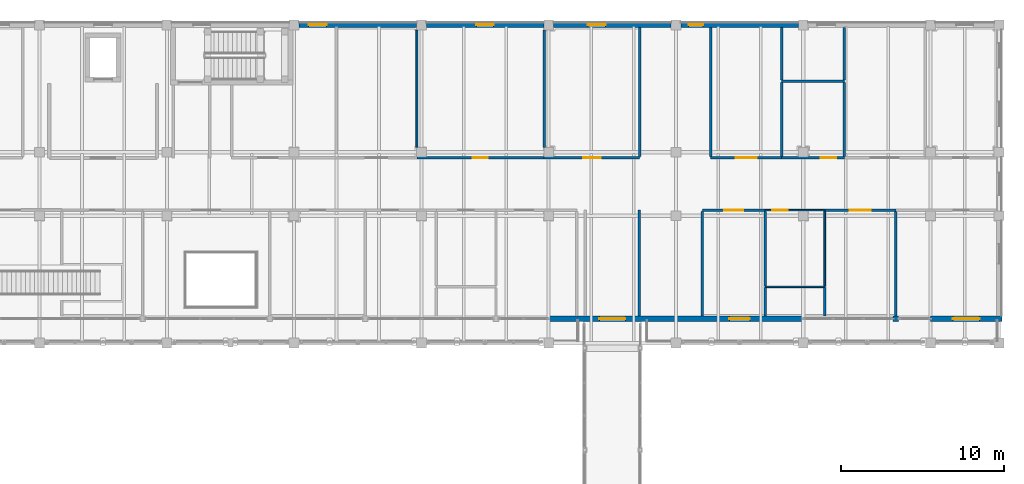
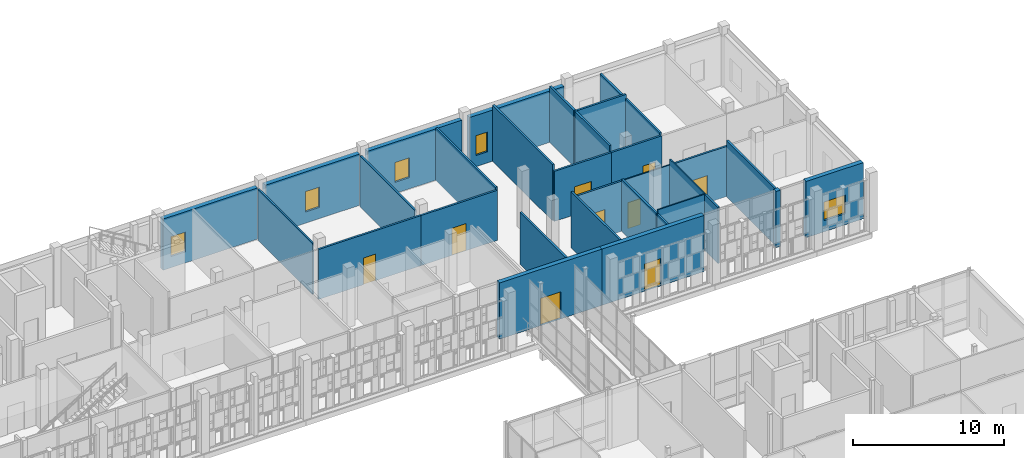
# One storey, part 113 of 138: 32 walls, 9 doors, 5 windows, 14 openings.
"""IFC4 building model written with IfcOpenShell, lengths in metres."""

from ifc_helpers import new_model, si_unit, direction, frame, frame_2d, origin, place, context, subcontext, project, spatial, rectangle, extrude, material, layer, layer_set, type_object, element, fill, save


model = new_model("IFC4")

# Units and contexts
model_context = context("Model", 3, precision=1e-05, world=origin(), true_north=direction((0.0, 1.0)))
body_context = subcontext(model_context, "Body", "Model", "MODEL_VIEW")
ifc_project = project(units=[si_unit("LENGTHUNIT", "METRE"), si_unit("AREAUNIT", "SQUARE_METRE"), si_unit("VOLUMEUNIT", "CUBIC_METRE"), si_unit("PLANEANGLEUNIT", "RADIAN"), si_unit("MASSUNIT", "GRAM", prefix="KILO")], contexts=[model_context])

# Site, building, storey
site_placement = place(None, origin())
site = spatial("IfcSite", under=ifc_project, at=site_placement, CompositionType="ELEMENT")
building_placement = place(site_placement, origin())
building = spatial("IfcBuilding", under=site, at=building_placement, Name="Celorna Specialist Clinic", CompositionType="ELEMENT")
storey_placement = place(building_placement, frame((0.0, 0.0, 4.800048828125)))
storey = spatial("IfcBuildingStorey", under=building, at=storey_placement, Name="L01", CompositionType="ELEMENT", Elevation=4.800048828125)

# Wall, opening, door
ifc_material_1 = material(Name="Pero Pinheiro Lioz limestone insulated masonry", Category="masonry")
ifc_layer_1 = layer(ifc_material_1, 0.340087890625, Name="Pero Pinheiro Lioz limestone insulated masonry")
ifc_layer_set_1 = layer_set([ifc_layer_1], Name="Pero Pinheiro Lioz limestone insulated masonry")
wall_type_1 = type_object("IfcWallType", Name="WT-07", PredefinedType="STANDARD", material=ifc_layer_set_1)
wall_1_placement = place(storey_placement, frame((148.199951171875, 98.0, 0.0), z_axis=(0.0, 0.0, 1.0), x_axis=(-1.0, 0.0, 0.0)))
wall_1 = element("IfcWall", 1, at=wall_1_placement, inside=storey, type_object=wall_type_1, Name="External facade wall WT-07 #198", PredefinedType="STANDARD", context=body_context, shape_type="SweptSolid", body=[
    extrude(rectangle(XDim=7.800048828125, YDim=0.340087890625, at=frame_2d((3.89990234375, 0.0))), origin(), (0.0, 0.0, 1.0), 4.5400390625),
])
opening_1_placement = place(wall_1_placement, frame((3.10009765625, 0.0, 0.0)))
opening_1 = element("IfcOpeningElement", 2, at=opening_1_placement, cuts=wall_1, Name="Opening DR-12", PredefinedType="OPENING", context=body_context, shape_type="SweptSolid", body=[
    extrude(rectangle(XDim=1.60009765625, YDim=2.199951171875, at=frame_2d((0.800048828125, 1.10009765625))), frame((0.0, 0.179931640625, 0.0), z_axis=(0.0, -1.0, 0.0), x_axis=(1.0, 0.0, 0.0)), (0.0, 0.0, 1.0), 0.360107421875),
])
ifc_material_2 = material(Name="Corridor cross-compartment pair door")
door_type_1 = type_object("IfcDoorType", Name="DR-12", OperationType="DOUBLE_DOOR_SINGLE_SWING", PredefinedType="DOOR", material=ifc_material_2)
door_1_placement = place(opening_1_placement, frame((1.60009765625, 0.0, 0.0), z_axis=(0.0, 0.0, 1.0), x_axis=(-1.0, 0.0, 0.0)))
door_1 = element("IfcDoor", 3, at=door_1_placement, inside=storey, type_object=door_type_1, Name="Bridge BR-05 north/east portal door L01", OperationType="DOUBLE_DOOR_SINGLE_SWING", OverallHeight=2.199951171875, OverallWidth=1.60009765625, PredefinedType="DOOR", context=body_context, shape_type="SweptSolid", body=[
    extrude(rectangle(XDim=1.60009765625, YDim=2.199951171875, at=frame_2d((0.800048828125, 1.10009765625))), frame((0.0, 0.02490234375, 0.0), z_axis=(0.0, -1.0, 0.0), x_axis=(1.0, 0.0, 0.0)), (0.0, 0.0, 1.0), 0.050048828125),
])
fill(opening_1, door_1)

wall_2_placement = place(storey_placement, frame((156.0, 98.0, 0.0), z_axis=(0.0, 0.0, 1.0), x_axis=(-1.0, 0.0, 0.0)))
wall_2 = element("IfcWall", 4, at=wall_2_placement, inside=storey, type_object=wall_type_1, Name="External facade wall WT-07 #199", PredefinedType="STANDARD", context=body_context, shape_type="SweptSolid", body=[
    extrude(rectangle(XDim=7.800048828125, YDim=0.340087890625, at=frame_2d((3.89990234375, 0.0))), origin(), (0.0, 0.0, 1.0), 4.5400390625),
])
opening_2_placement = place(wall_2_placement, frame((3.27490234375, 0.0, 0.0)))
opening_2 = element("IfcOpeningElement", 5, at=opening_2_placement, cuts=wall_2, Name="Opening DR-13", PredefinedType="OPENING", context=body_context, shape_type="SweptSolid", body=[
    extrude(rectangle(XDim=1.25, YDim=2.199951171875, at=frame_2d((0.625, 1.10009765625))), frame((0.0, 0.179931640625, 0.0), z_axis=(0.0, -1.0, 0.0), x_axis=(1.0, 0.0, 0.0)), (0.0, 0.0, 1.0), 0.360107421875),
])
ifc_material_3 = material(Name="Thermally broken glazed terrace door")
door_type_2 = type_object("IfcDoorType", Name="DR-13", OperationType="NOTDEFINED", PredefinedType="DOOR", material=ifc_material_3)
door_2_placement = place(opening_2_placement, frame((1.25, 0.0, 0.0), z_axis=(0.0, 0.0, 1.0), x_axis=(-1.0, 0.0, 0.0)))
door_2 = element("IfcDoor", 6, at=door_2_placement, inside=storey, type_object=door_type_2, Name="Terrace access door TER-V4-S3-L01", OperationType="SINGLE_SWING_RIGHT", OverallHeight=2.199951171875, OverallWidth=1.25, PredefinedType="DOOR", context=body_context, shape_type="SweptSolid", body=[
    extrude(rectangle(XDim=1.25, YDim=2.199951171875, at=frame_2d((0.625, 1.10009765625))), frame((0.0, 0.02490234375, 0.0), z_axis=(0.0, -1.0, 0.0), x_axis=(1.0, 0.0, 0.0)), (0.0, 0.0, 1.0), 0.050048828125),
])
fill(opening_2, door_2)

# Wall
wall_3_placement = place(storey_placement, frame((161.840087890625, 98.0, 0.0), z_axis=(0.0, 0.0, 1.0), x_axis=(-1.0, 0.0, 0.0)))
element("IfcWall", 7, at=wall_3_placement, inside=storey, type_object=wall_type_1, Name="External facade wall WT-07 #200", PredefinedType="STANDARD", context=body_context, shape_type="SweptSolid", body=[
    extrude(rectangle(XDim=0.340087890625, YDim=0.340087890625, at=frame_2d((0.169921875, 0.0))), origin(), (0.0, 0.0, 1.0), 4.5400390625),
])

# Wall, opening, window
wall_4_placement = place(storey_placement, frame((168.169921875, 98.0, 0.0), z_axis=(0.0, 0.0, 1.0), x_axis=(-1.0, 0.0, 0.0)))
wall_4 = element("IfcWall", 8, at=wall_4_placement, inside=storey, type_object=wall_type_1, Name="External facade wall WT-07 #201", PredefinedType="STANDARD", context=body_context, shape_type="SweptSolid", body=[
    extrude(rectangle(XDim=4.369873046875, YDim=0.340087890625, at=frame_2d((2.18505859375, 0.0))), origin(), (0.0, 0.0, 1.0), 4.5400390625),
])
opening_3_placement = place(wall_4_placement, frame((1.360107421875, 0.0, 0.89990234375)))
opening_3 = element("IfcOpeningElement", 9, at=opening_3_placement, cuts=wall_4, Name="Opening WN-24", PredefinedType="OPENING", context=body_context, shape_type="SweptSolid", body=[
    extrude(rectangle(XDim=1.64990234375, YDim=1.5, at=frame_2d((0.824951171875, 0.75))), frame((0.0, 0.179931640625, 0.0), z_axis=(0.0, -1.0, 0.0), x_axis=(1.0, 0.0, 0.0)), (0.0, 0.0, 1.0), 0.360107421875),
])
ifc_material_4 = material(Name="Thermally broken aluminium triple-glazed window", Category="aluminium")
window_type_1 = type_object("IfcWindowType", Name="WN-24", PartitioningType="SINGLE_PANEL", PredefinedType="WINDOW", material=ifc_material_4)
window_1_placement = place(opening_3_placement, origin())
window_1 = element("IfcWindow", 10, at=window_1_placement, inside=storey, type_object=window_type_1, Name="Facade window WN-24 #83", OverallHeight=1.5, OverallWidth=1.64990234375, PartitioningType="SINGLE_PANEL", PredefinedType="WINDOW", context=body_context, shape_type="SweptSolid", body=[
    extrude(rectangle(XDim=1.64990234375, YDim=1.5, at=frame_2d((0.824951171875, 0.75))), frame((0.0, 0.030029296875, 0.0), z_axis=(0.0, -1.0, 0.0), x_axis=(1.0, 0.0, 0.0)), (0.0, 0.0, 1.0), 0.06005859375),
])
fill(opening_3, window_1)

wall_5_placement = place(storey_placement, frame((125.10009765625, 116.0, 0.0), z_axis=(0.0, 0.0, 1.0), x_axis=(1.0, 0.0, 0.0)))
wall_5 = element("IfcWall", 11, at=wall_5_placement, inside=storey, type_object=wall_type_1, Name="External facade wall WT-07 #218", PredefinedType="STANDARD", context=body_context, shape_type="SweptSolid", body=[
    extrude(rectangle(XDim=7.199951171875, YDim=0.340087890625, at=frame_2d((3.60009765625, 0.0))), origin(), (0.0, 0.0, 1.0), 4.139892578125),
])
opening_4_placement = place(wall_5_placement, frame((0.594970703125, 0.0, 0.89990234375)))
opening_4 = element("IfcOpeningElement", 12, at=opening_4_placement, cuts=wall_5, Name="Opening WN-03", PredefinedType="OPENING", context=body_context, shape_type="SweptSolid", body=[
    extrude(rectangle(XDim=1.10009765625, YDim=1.60009765625, at=frame_2d((0.550048828125, 0.800048828125))), frame((0.0, 0.179931640625, 0.0), z_axis=(0.0, -1.0, 0.0), x_axis=(1.0, 0.0, 0.0)), (0.0, 0.0, 1.0), 0.360107421875),
])
window_type_2 = type_object("IfcWindowType", Name="WN-03", PartitioningType="SINGLE_PANEL", PredefinedType="WINDOW", material=ifc_material_4)
window_2_placement = place(opening_4_placement, origin())
window_2 = element("IfcWindow", 13, at=window_2_placement, inside=storey, type_object=window_type_2, Name="Facade window WN-03 #98", OverallHeight=1.60009765625, OverallWidth=1.10009765625, PartitioningType="SINGLE_PANEL", PredefinedType="WINDOW", context=body_context, shape_type="SweptSolid", body=[
    extrude(rectangle(XDim=1.10009765625, YDim=1.60009765625, at=frame_2d((0.550048828125, 0.800048828125))), frame((0.0, 0.030029296875, 0.0), z_axis=(0.0, -1.0, 0.0), x_axis=(1.0, 0.0, 0.0)), (0.0, 0.0, 1.0), 0.06005859375),
])
fill(opening_4, window_2)

wall_6_placement = place(storey_placement, frame((132.89990234375, 116.0, 0.0), z_axis=(0.0, 0.0, 1.0), x_axis=(1.0, 0.0, 0.0)))
wall_6 = element("IfcWall", 14, at=wall_6_placement, inside=storey, type_object=wall_type_1, Name="External facade wall WT-07 #219", PredefinedType="STANDARD", context=body_context, shape_type="SweptSolid", body=[
    extrude(rectangle(XDim=7.2001953125, YDim=0.340087890625, at=frame_2d((3.60009765625, 0.0))), origin(), (0.0, 0.0, 1.0), 4.139892578125),
])
opening_5_placement = place(wall_6_placement, frame((3.074951171875, 0.0, 0.89990234375)))
opening_5 = element("IfcOpeningElement", 15, at=opening_5_placement, cuts=wall_6, Name="Opening WN-21", PredefinedType="OPENING", context=body_context, shape_type="SweptSolid", body=[
    extrude(rectangle(XDim=1.050048828125, YDim=1.64990234375, at=frame_2d((0.52490234375, 0.824951171875))), frame((0.0, 0.179931640625, 0.0), z_axis=(0.0, -1.0, 0.0), x_axis=(1.0, 0.0, 0.0)), (0.0, 0.0, 1.0), 0.360107421875),
])
window_type_3 = type_object("IfcWindowType", Name="WN-21", PartitioningType="SINGLE_PANEL", PredefinedType="WINDOW", material=ifc_material_4)
window_3_placement = place(opening_5_placement, origin())
window_3 = element("IfcWindow", 16, at=window_3_placement, inside=storey, type_object=window_type_3, Name="Facade window WN-21 #99", OverallHeight=1.64990234375, OverallWidth=1.050048828125, PartitioningType="SINGLE_PANEL", PredefinedType="WINDOW", context=body_context, shape_type="SweptSolid", body=[
    extrude(rectangle(XDim=1.050048828125, YDim=1.64990234375, at=frame_2d((0.52490234375, 0.824951171875))), frame((0.0, 0.030029296875, 0.0), z_axis=(0.0, -1.0, 0.0), x_axis=(1.0, 0.0, 0.0)), (0.0, 0.0, 1.0), 0.06005859375),
])
fill(opening_5, window_3)

wall_7_placement = place(storey_placement, frame((140.699951171875, 116.0, 0.0), z_axis=(0.0, 0.0, 1.0), x_axis=(1.0, 0.0, 0.0)))
wall_7 = element("IfcWall", 17, at=wall_7_placement, inside=storey, type_object=wall_type_1, Name="External facade wall WT-07 #220", PredefinedType="STANDARD", context=body_context, shape_type="SweptSolid", body=[
    extrude(rectangle(XDim=7.199951171875, YDim=0.340087890625, at=frame_2d((3.60009765625, 0.0))), origin(), (0.0, 0.0, 1.0), 4.139892578125),
])
opening_6_placement = place(wall_7_placement, frame((2.094970703125, 0.0, 0.89990234375)))
opening_6 = element("IfcOpeningElement", 18, at=opening_6_placement, cuts=wall_7, Name="Opening WN-03", PredefinedType="OPENING", context=body_context, shape_type="SweptSolid", body=[
    extrude(rectangle(XDim=1.10009765625, YDim=1.60009765625, at=frame_2d((0.550048828125, 0.800048828125))), frame((0.0, 0.179931640625, 0.0), z_axis=(0.0, -1.0, 0.0), x_axis=(1.0, 0.0, 0.0)), (0.0, 0.0, 1.0), 0.360107421875),
])
window_4_placement = place(opening_6_placement, origin())
window_4 = element("IfcWindow", 19, at=window_4_placement, inside=storey, type_object=window_type_2, Name="Facade window WN-03 #100", OverallHeight=1.60009765625, OverallWidth=1.10009765625, PartitioningType="SINGLE_PANEL", PredefinedType="WINDOW", context=body_context, shape_type="SweptSolid", body=[
    extrude(rectangle(XDim=1.10009765625, YDim=1.60009765625, at=frame_2d((0.550048828125, 0.800048828125))), frame((0.0, 0.030029296875, 0.0), z_axis=(0.0, -1.0, 0.0), x_axis=(1.0, 0.0, 0.0)), (0.0, 0.0, 1.0), 0.06005859375),
])
fill(opening_6, window_4)

wall_8_placement = place(storey_placement, frame((148.5, 116.0, 0.0), z_axis=(0.0, 0.0, 1.0), x_axis=(1.0, 0.0, 0.0)))
wall_8 = element("IfcWall", 20, at=wall_8_placement, inside=storey, type_object=wall_type_1, Name="External facade wall WT-07 #221", PredefinedType="STANDARD", context=body_context, shape_type="SweptSolid", body=[
    extrude(rectangle(XDim=7.199951171875, YDim=0.340087890625, at=frame_2d((3.60009765625, 0.0))), origin(), (0.0, 0.0, 1.0), 4.139892578125),
])
opening_7_placement = place(wall_8_placement, frame((0.469970703125, 0.0, 0.89990234375)))
opening_7 = element("IfcOpeningElement", 21, at=opening_7_placement, cuts=wall_8, Name="Opening WN-01", PredefinedType="OPENING", context=body_context, shape_type="SweptSolid", body=[
    extrude(rectangle(XDim=0.89990234375, YDim=1.60009765625, at=frame_2d((0.449951171875, 0.800048828125))), frame((0.0, 0.179931640625, 0.0), z_axis=(0.0, -1.0, 0.0), x_axis=(1.0, 0.0, 0.0)), (0.0, 0.0, 1.0), 0.360107421875),
])
window_type_4 = type_object("IfcWindowType", Name="WN-01", PartitioningType="SINGLE_PANEL", PredefinedType="WINDOW", material=ifc_material_4)
window_5_placement = place(opening_7_placement, origin())
window_5 = element("IfcWindow", 22, at=window_5_placement, inside=storey, type_object=window_type_4, Name="Facade window WN-01 #101", OverallHeight=1.60009765625, OverallWidth=0.89990234375, PartitioningType="SINGLE_PANEL", PredefinedType="WINDOW", context=body_context, shape_type="SweptSolid", body=[
    extrude(rectangle(XDim=0.89990234375, YDim=1.60009765625, at=frame_2d((0.449951171875, 0.800048828125))), frame((0.0, 0.030029296875, 0.0), z_axis=(0.0, -1.0, 0.0), x_axis=(1.0, 0.0, 0.0)), (0.0, 0.0, 1.0), 0.06005859375),
])
fill(opening_7, window_5)

# Wall
ifc_material_5 = material(Name="Fire-rated gypsum board partition")
ifc_layer_2 = layer(ifc_material_5, 0.14990234375, Name="Fire-rated gypsum board partition")
ifc_layer_set_2 = layer_set([ifc_layer_2], Name="Fire-rated gypsum board partition")
wall_type_2 = type_object("IfcWallType", Name="WT-14", PredefinedType="PARTITIONING", material=ifc_layer_set_2)
wall_9_placement = place(storey_placement, frame((145.949951171875, 98.169921875, 0.0), z_axis=(0.0, 0.0, 1.0), x_axis=(0.0, 1.0, 0.0)))
element("IfcWall", 23, at=wall_9_placement, inside=storey, type_object=wall_type_2, Name="Corridor spur partition WT-14", PredefinedType="PARTITIONING", context=body_context, shape_type="SweptSolid", body=[
    extrude(rectangle(XDim=6.47998046875, YDim=0.14990234375, at=frame_2d((3.239990234375, 0.0))), origin(), (0.0, 0.0, 1.0), 4.2099609375),
])

# Wall, opening, door
wall_10_placement = place(storey_placement, frame((153.669921875, 104.64990234375, 0.0), z_axis=(0.0, 0.0, 1.0), x_axis=(-1.0, 0.0, 0.0)))
wall_10 = element("IfcWall", 24, at=wall_10_placement, inside=storey, type_object=wall_type_2, Name="Interior partition WT-14 L01-070", PredefinedType="PARTITIONING", context=body_context, shape_type="SweptSolid", body=[
    extrude(rectangle(XDim=3.849853515625, YDim=0.14990234375, at=frame_2d((1.9248046875, 0.0))), origin(), (0.0, 0.0, 1.0), 4.0400390625),
])
opening_8_placement = place(wall_10_placement, frame((1.35009765625, 0.0, 0.0)))
opening_8 = element("IfcOpeningElement", 25, at=opening_8_placement, cuts=wall_10, Name="Opening DR-07", PredefinedType="OPENING", context=body_context, shape_type="SweptSolid", body=[
    extrude(rectangle(XDim=1.14990234375, YDim=2.199951171875, at=frame_2d((0.574951171875, 1.10009765625))), frame((0.0, 0.0849609375, 0.0), z_axis=(0.0, -1.0, 0.0), x_axis=(1.0, 0.0, 0.0)), (0.0, 0.0, 1.0), 0.169921875),
])
ifc_material_6 = material(Name="Hermetic cleanroom airlock door")
door_type_3 = type_object("IfcDoorType", Name="DR-07", OperationType="NOTDEFINED", PredefinedType="DOOR", material=ifc_material_6)
door_3_placement = place(opening_8_placement, origin())
door_3 = element("IfcDoor", 26, at=door_3_placement, inside=storey, type_object=door_type_3, Name="Outpatient Clinic door L01-070", OperationType="SINGLE_SWING_RIGHT", OverallHeight=2.199951171875, OverallWidth=1.14990234375, PredefinedType="DOOR", context=body_context, shape_type="SweptSolid", body=[
    extrude(rectangle(XDim=1.14990234375, YDim=2.199951171875, at=frame_2d((0.574951171875, 1.10009765625))), frame((0.0, 0.02490234375, 0.0), z_axis=(0.0, -1.0, 0.0), x_axis=(1.0, 0.0, 0.0)), (0.0, 0.0, 1.0), 0.050048828125),
])
fill(opening_8, door_3)

wall_11_placement = place(storey_placement, frame((161.669921875, 104.64990234375, 0.0), z_axis=(0.0, 0.0, 1.0), x_axis=(-1.0, 0.0, 0.0)))
wall_11 = element("IfcWall", 27, at=wall_11_placement, inside=storey, type_object=wall_type_2, Name="Interior partition WT-14 L01-072", PredefinedType="PARTITIONING", context=body_context, shape_type="SweptSolid", body=[
    extrude(rectangle(XDim=4.349853515625, YDim=0.14990234375, at=frame_2d((2.1748046875, 0.0))), origin(), (0.0, 0.0, 1.0), 4.0400390625),
])
opening_9_placement = place(wall_11_placement, frame((1.52490234375, 0.0, 0.0)))
opening_9 = element("IfcOpeningElement", 28, at=opening_9_placement, cuts=wall_11, Name="Opening DR-09", PredefinedType="OPENING", context=body_context, shape_type="SweptSolid", body=[
    extrude(rectangle(XDim=1.300048828125, YDim=2.199951171875, at=frame_2d((0.64990234375, 1.10009765625))), frame((0.0, 0.0849609375, 0.0), z_axis=(0.0, -1.0, 0.0), x_axis=(1.0, 0.0, 0.0)), (0.0, 0.0, 1.0), 0.169921875),
])
ifc_material_7 = material(Name="Lead-lined radiology room door")
door_type_4 = type_object("IfcDoorType", Name="DR-09", OperationType="NOTDEFINED", PredefinedType="DOOR", material=ifc_material_7)
door_4_placement = place(opening_9_placement, origin())
door_4 = element("IfcDoor", 29, at=door_4_placement, inside=storey, type_object=door_type_4, Name="Outpatient Clinic door L01-072", OperationType="SINGLE_SWING_RIGHT", OverallHeight=2.199951171875, OverallWidth=1.300048828125, PredefinedType="DOOR", context=body_context, shape_type="SweptSolid", body=[
    extrude(rectangle(XDim=1.300048828125, YDim=2.199951171875, at=frame_2d((0.64990234375, 1.10009765625))), frame((0.0, 0.02490234375, 0.0), z_axis=(0.0, -1.0, 0.0), x_axis=(1.0, 0.0, 0.0)), (0.0, 0.0, 1.0), 0.050048828125),
])
fill(opening_9, door_4)

wall_12_placement = place(storey_placement, frame((132.320068359375, 107.85009765625, 0.0), z_axis=(0.0, 0.0, 1.0), x_axis=(1.0, 0.0, 0.0)))
wall_12 = element("IfcWall", 30, at=wall_12_placement, inside=storey, type_object=wall_type_2, Name="Interior partition WT-14 L01-085", PredefinedType="PARTITIONING", context=body_context, shape_type="SweptSolid", body=[
    extrude(rectangle(XDim=7.800048828125, YDim=0.14990234375, at=frame_2d((3.89990234375, 0.0))), origin(), (0.0, 0.0, 1.0), 4.0400390625),
])
opening_10_placement = place(wall_12_placement, frame((3.43994140625, 0.0, 0.0)))
opening_10 = element("IfcOpeningElement", 31, at=opening_10_placement, cuts=wall_12, Name="Opening DR-20", PredefinedType="OPENING", context=body_context, shape_type="SweptSolid", body=[
    extrude(rectangle(XDim=0.919921875, YDim=2.14990234375, at=frame_2d((0.4599609375, 1.074951171875))), frame((0.0, 0.0849609375, 0.0), z_axis=(0.0, -1.0, 0.0), x_axis=(1.0, 0.0, 0.0)), (0.0, 0.0, 1.0), 0.169921875),
])
ifc_material_8 = material(Name="Timber clinical consultation door", Category="wood")
door_type_5 = type_object("IfcDoorType", Name="DR-20", OperationType="NOTDEFINED", PredefinedType="DOOR", material=ifc_material_8)
door_5_placement = place(opening_10_placement, origin())
door_5 = element("IfcDoor", 32, at=door_5_placement, inside=storey, type_object=door_type_5, Name="Pulmonary Function Testing Suite door L01-085", OperationType="SINGLE_SWING_LEFT", OverallHeight=2.14990234375, OverallWidth=0.919921875, PredefinedType="DOOR", context=body_context, shape_type="SweptSolid", body=[
    extrude(rectangle(XDim=0.919921875, YDim=2.14990234375, at=frame_2d((0.4599609375, 1.074951171875))), frame((0.0, 0.02490234375, 0.0), z_axis=(0.0, -1.0, 0.0), x_axis=(1.0, 0.0, 0.0)), (0.0, 0.0, 1.0), 0.050048828125),
])
fill(opening_10, door_5)

wall_13_placement = place(storey_placement, frame((140.1201171875, 107.85009765625, 0.0), z_axis=(0.0, 0.0, 1.0), x_axis=(1.0, 0.0, 0.0)))
wall_13 = element("IfcWall", 33, at=wall_13_placement, inside=storey, type_object=wall_type_2, Name="Interior partition WT-14 L01-086", PredefinedType="PARTITIONING", context=body_context, shape_type="SweptSolid", body=[
    extrude(rectangle(XDim=5.849853515625, YDim=0.14990234375, at=frame_2d((2.9248046875, 0.0))), origin(), (0.0, 0.0, 1.0), 4.0400390625),
])
opening_11_placement = place(wall_13_placement, frame((2.385009765625, 0.0, 0.0)))
opening_11 = element("IfcOpeningElement", 34, at=opening_11_placement, cuts=wall_13, Name="Opening DR-21", PredefinedType="OPENING", context=body_context, shape_type="SweptSolid", body=[
    extrude(rectangle(XDim=1.080078125, YDim=2.199951171875, at=frame_2d((0.5400390625, 1.10009765625))), frame((0.0, 0.0849609375, 0.0), z_axis=(0.0, -1.0, 0.0), x_axis=(1.0, 0.0, 0.0)), (0.0, 0.0, 1.0), 0.169921875),
])
ifc_material_9 = material(Name="Timber outpatient suite door", Category="wood")
door_type_6 = type_object("IfcDoorType", Name="DR-21", OperationType="NOTDEFINED", PredefinedType="DOOR", material=ifc_material_9)
door_6_placement = place(opening_11_placement, origin())
door_6 = element("IfcDoor", 35, at=door_6_placement, inside=storey, type_object=door_type_6, Name="Allergy and Immunology Clinic door L01-086", OperationType="SINGLE_SWING_RIGHT", OverallHeight=2.199951171875, OverallWidth=1.080078125, PredefinedType="DOOR", context=body_context, shape_type="SweptSolid", body=[
    extrude(rectangle(XDim=1.080078125, YDim=2.199951171875, at=frame_2d((0.5400390625, 1.10009765625))), frame((0.0, 0.02490234375, 0.0), z_axis=(0.0, -1.0, 0.0), x_axis=(1.0, 0.0, 0.0)), (0.0, 0.0, 1.0), 0.050048828125),
])
fill(opening_11, door_6)

wall_14_placement = place(storey_placement, frame((150.320068359375, 107.85009765625, 0.0), z_axis=(0.0, 0.0, 1.0), x_axis=(1.0, 0.0, 0.0)))
wall_14 = element("IfcWall", 36, at=wall_14_placement, inside=storey, type_object=wall_type_2, Name="Interior partition WT-14 L01-087", PredefinedType="PARTITIONING", context=body_context, shape_type="SweptSolid", body=[
    extrude(rectangle(XDim=4.349853515625, YDim=0.14990234375, at=frame_2d((2.1748046875, 0.0))), origin(), (0.0, 0.0, 1.0), 4.0400390625),
])
opening_12_placement = place(wall_14_placement, frame((1.534912109375, 0.0, 0.0)))
opening_12 = element("IfcOpeningElement", 37, at=opening_12_placement, cuts=wall_14, Name="Opening DR-22", PredefinedType="OPENING", context=body_context, shape_type="SweptSolid", body=[
    extrude(rectangle(XDim=1.280029296875, YDim=2.25, at=frame_2d((0.64013671875, 1.125))), frame((0.0, 0.0849609375, 0.0), z_axis=(0.0, -1.0, 0.0), x_axis=(1.0, 0.0, 0.0)), (0.0, 0.0, 1.0), 0.169921875),
])
ifc_material_10 = material(Name="Diagnostic procedure room door")
door_type_7 = type_object("IfcDoorType", Name="DR-22", OperationType="NOTDEFINED", PredefinedType="DOOR", material=ifc_material_10)
door_7_placement = place(opening_12_placement, origin())
door_7 = element("IfcDoor", 38, at=door_7_placement, inside=storey, type_object=door_type_7, Name="Outpatient Diagnostic Clinic door L01-087", OperationType="SINGLE_SWING_LEFT", OverallHeight=2.25, OverallWidth=1.280029296875, PredefinedType="DOOR", context=body_context, shape_type="SweptSolid", body=[
    extrude(rectangle(XDim=1.280029296875, YDim=2.25, at=frame_2d((0.64013671875, 1.125))), frame((0.0, 0.02490234375, 0.0), z_axis=(0.0, -1.0, 0.0), x_axis=(1.0, 0.0, 0.0)), (0.0, 0.0, 1.0), 0.050048828125),
])
fill(opening_12, door_7)

wall_15_placement = place(storey_placement, frame((154.669921875, 107.85009765625, 0.0), z_axis=(0.0, 0.0, 1.0), x_axis=(1.0, 0.0, 0.0)))
wall_15 = element("IfcWall", 39, at=wall_15_placement, inside=storey, type_object=wall_type_2, Name="Interior partition WT-14 L01-088", PredefinedType="PARTITIONING", context=body_context, shape_type="SweptSolid", body=[
    extrude(rectangle(XDim=3.85009765625, YDim=0.14990234375, at=frame_2d((1.925048828125, 0.0))), origin(), (0.0, 0.0, 1.0), 4.0400390625),
])
opening_13_placement = place(wall_15_placement, frame((2.41259765625, 0.0, 0.0)))
opening_13 = element("IfcOpeningElement", 40, at=opening_13_placement, cuts=wall_15, Name="Opening DR-03", PredefinedType="OPENING", context=body_context, shape_type="SweptSolid", body=[
    extrude(rectangle(XDim=0.949951171875, YDim=2.10009765625, at=frame_2d((0.47509765625, 1.050048828125))), frame((0.0, 0.0849609375, 0.0), z_axis=(0.0, -1.0, 0.0), x_axis=(1.0, 0.0, 0.0)), (0.0, 0.0, 1.0), 0.169921875),
])
ifc_material_11 = material(Name="Moisture-resistant accessible WC door")
door_type_8 = type_object("IfcDoorType", Name="DR-03", OperationType="NOTDEFINED", PredefinedType="DOOR", material=ifc_material_11)
door_8_placement = place(opening_13_placement, origin())
door_8 = element("IfcDoor", 41, at=door_8_placement, inside=storey, type_object=door_type_8, Name="Accessible WC door L01-088", OperationType="SINGLE_SWING_RIGHT", OverallHeight=2.10009765625, OverallWidth=0.949951171875, PredefinedType="DOOR", context=body_context, shape_type="SweptSolid", body=[
    extrude(rectangle(XDim=0.949951171875, YDim=2.10009765625, at=frame_2d((0.47509765625, 1.050048828125))), frame((0.0, 0.02490234375, 0.0), z_axis=(0.0, -1.0, 0.0), x_axis=(1.0, 0.0, 0.0)), (0.0, 0.0, 1.0), 0.050048828125),
])
fill(opening_13, door_8)

# Walls
wall_16_placement = place(storey_placement, frame((154.669921875, 112.550048828125, 0.0), z_axis=(0.0, 0.0, 1.0), x_axis=(1.0, 0.0, 0.0)))
element("IfcWall", 42, at=wall_16_placement, inside=storey, type_object=wall_type_2, Name="Sanitary suite rear partition L01-088", PredefinedType="PARTITIONING", context=body_context, shape_type="SweptSolid", body=[
    extrude(rectangle(XDim=3.85009765625, YDim=0.14990234375, at=frame_2d((1.925048828125, 0.0))), origin(), (0.0, 0.0, 1.0), 4.5400390625),
])
wall_17_placement = place(storey_placement, frame((149.820068359375, 98.169921875, 0.0), z_axis=(0.0, 0.0, 1.0), x_axis=(0.0, 1.0, 0.0)))
element("IfcWall", 43, at=wall_17_placement, inside=storey, type_object=wall_type_2, Name="Room dividing partition WT-14 L01-070", PredefinedType="PARTITIONING", context=body_context, shape_type="SweptSolid", body=[
    extrude(rectangle(XDim=6.405029296875, YDim=0.14990234375, at=frame_2d((3.20263671875, 0.0))), origin(), (0.0, 0.0, 1.0), 4.5400390625),
])
wall_18_placement = place(storey_placement, frame((153.669921875, 98.169921875, 0.0), z_axis=(0.0, 0.0, 1.0), x_axis=(0.0, 1.0, 0.0)))
element("IfcWall", 44, at=wall_18_placement, inside=storey, type_object=wall_type_2, Name="Room dividing partition WT-14 L01-070", PredefinedType="PARTITIONING", context=body_context, shape_type="SweptSolid", body=[
    extrude(rectangle(XDim=1.72998046875, YDim=0.14990234375, at=frame_2d((0.864990234375, 0.0))), origin(), (0.0, 0.0, 1.0), 4.2099609375),
])
wall_19_placement = place(storey_placement, frame((153.669921875, 100.0, 0.0), z_axis=(0.0, 0.0, 1.0), x_axis=(0.0, 1.0, 0.0)))
element("IfcWall", 45, at=wall_19_placement, inside=storey, type_object=wall_type_2, Name="Room dividing partition WT-14 L01-070", PredefinedType="PARTITIONING", context=body_context, shape_type="SweptSolid", body=[
    extrude(rectangle(XDim=4.574951171875, YDim=0.14990234375, at=frame_2d((2.28759765625, 0.0))), origin(), (0.0, 0.0, 1.0), 4.2099609375),
])
wall_20_placement = place(storey_placement, frame((157.320068359375, 98.169921875, 0.0), z_axis=(0.0, 0.0, 1.0), x_axis=(0.0, 1.0, 0.0)))
element("IfcWall", 46, at=wall_20_placement, inside=storey, type_object=wall_type_2, Name="Room dividing partition WT-14 L01-072", PredefinedType="PARTITIONING", context=body_context, shape_type="SweptSolid", body=[
    extrude(rectangle(XDim=1.72998046875, YDim=0.14990234375, at=frame_2d((0.864990234375, 0.0))), origin(), (0.0, 0.0, 1.0), 4.5400390625),
])
wall_21_placement = place(storey_placement, frame((161.669921875, 98.169921875, 0.0), z_axis=(0.0, 0.0, 1.0), x_axis=(0.0, 1.0, 0.0)))
element("IfcWall", 47, at=wall_21_placement, inside=storey, type_object=wall_type_2, Name="Room dividing partition WT-14 L01-072", PredefinedType="PARTITIONING", context=body_context, shape_type="SweptSolid", body=[
    extrude(rectangle(XDim=6.405029296875, YDim=0.14990234375, at=frame_2d((3.20263671875, 0.0))), origin(), (0.0, 0.0, 1.0), 4.5400390625),
])
wall_22_placement = place(storey_placement, frame((140.1201171875, 108.5, 0.0), z_axis=(0.0, 0.0, 1.0), x_axis=(0.0, 1.0, 0.0)))
element("IfcWall", 48, at=wall_22_placement, inside=storey, type_object=wall_type_2, Name="Room dividing partition WT-14 L01-085", PredefinedType="PARTITIONING", context=body_context, shape_type="SweptSolid", body=[
    extrude(rectangle(XDim=7.199951171875, YDim=0.14990234375, at=frame_2d((3.60009765625, 0.0))), origin(), (0.0, 0.0, 1.0), 4.08984375),
])
wall_23_placement = place(storey_placement, frame((145.969970703125, 107.925048828125, 0.0), z_axis=(0.0, 0.0, 1.0), x_axis=(0.0, 1.0, 0.0)))
element("IfcWall", 49, at=wall_23_placement, inside=storey, type_object=wall_type_2, Name="Room dividing partition WT-14 L01-086", PredefinedType="PARTITIONING", context=body_context, shape_type="SweptSolid", body=[
    extrude(rectangle(XDim=7.905029296875, YDim=0.14990234375, at=frame_2d((3.95263671875, 0.0))), origin(), (0.0, 0.0, 1.0), 4.2099609375),
])
wall_24_placement = place(storey_placement, frame((150.320068359375, 107.925048828125, 0.0), z_axis=(0.0, 0.0, 1.0), x_axis=(0.0, 1.0, 0.0)))
element("IfcWall", 50, at=wall_24_placement, inside=storey, type_object=wall_type_2, Name="Room dividing partition WT-14 L01-087", PredefinedType="PARTITIONING", context=body_context, shape_type="SweptSolid", body=[
    extrude(rectangle(XDim=7.905029296875, YDim=0.14990234375, at=frame_2d((3.95263671875, 0.0))), origin(), (0.0, 0.0, 1.0), 4.5400390625),
])
wall_25_placement = place(storey_placement, frame((154.669921875, 107.925048828125, 0.0), z_axis=(0.0, 0.0, 1.0), x_axis=(0.0, 1.0, 0.0)))
element("IfcWall", 51, at=wall_25_placement, inside=storey, type_object=wall_type_2, Name="Room dividing partition WT-14 L01-087", PredefinedType="PARTITIONING", context=body_context, shape_type="SweptSolid", body=[
    extrude(rectangle(XDim=4.550048828125, YDim=0.14990234375, at=frame_2d((2.27490234375, 0.0))), origin(), (0.0, 0.0, 1.0), 4.5400390625),
])
wall_26_placement = place(storey_placement, frame((154.669921875, 112.625, 0.0), z_axis=(0.0, 0.0, 1.0), x_axis=(0.0, 1.0, 0.0)))
element("IfcWall", 52, at=wall_26_placement, inside=storey, type_object=wall_type_2, Name="Room dividing partition WT-14 L01-087", PredefinedType="PARTITIONING", context=body_context, shape_type="SweptSolid", body=[
    extrude(rectangle(XDim=3.205078125, YDim=0.14990234375, at=frame_2d((1.6025390625, 0.0))), origin(), (0.0, 0.0, 1.0), 4.5400390625),
])
wall_27_placement = place(storey_placement, frame((158.52001953125, 107.925048828125, 0.0), z_axis=(0.0, 0.0, 1.0), x_axis=(0.0, 1.0, 0.0)))
element("IfcWall", 53, at=wall_27_placement, inside=storey, type_object=wall_type_2, Name="Room dividing partition WT-14 L01-088", PredefinedType="PARTITIONING", context=body_context, shape_type="SweptSolid", body=[
    extrude(rectangle(XDim=4.550048828125, YDim=0.14990234375, at=frame_2d((2.27490234375, 0.0))), origin(), (0.0, 0.0, 1.0), 4.2099609375),
])
wall_28_placement = place(storey_placement, frame((158.52001953125, 112.625, 0.0), z_axis=(0.0, 0.0, 1.0), x_axis=(0.0, 1.0, 0.0)))
element("IfcWall", 54, at=wall_28_placement, inside=storey, type_object=wall_type_2, Name="Room dividing partition WT-14 L01-089", PredefinedType="PARTITIONING", context=body_context, shape_type="SweptSolid", body=[
    extrude(rectangle(XDim=3.205078125, YDim=0.14990234375, at=frame_2d((1.6025390625, 0.0))), origin(), (0.0, 0.0, 1.0), 4.2099609375),
])
ifc_material_12 = material(Name="Acoustic gypsum board partition")
ifc_layer_3 = layer(ifc_material_12, 0.1201171875, Name="Acoustic gypsum board partition")
ifc_layer_set_3 = layer_set([ifc_layer_3], Name="Acoustic gypsum board partition")
wall_type_3 = type_object("IfcWallType", Name="WT-15", PredefinedType="PARTITIONING", material=ifc_layer_set_3)
wall_29_placement = place(storey_placement, frame((132.320068359375, 108.5, 0.0), z_axis=(0.0, 0.0, 1.0), x_axis=(0.0, 1.0, 0.0)))
element("IfcWall", 55, at=wall_29_placement, inside=storey, type_object=wall_type_3, Name="Room dividing partition WT-15 L01-084", PredefinedType="PARTITIONING", context=body_context, shape_type="SweptSolid", body=[
    extrude(rectangle(XDim=7.199951171875, YDim=0.1201171875, at=frame_2d((3.60009765625, 0.0))), origin(), (0.0, 0.0, 1.0), 4.139892578125),
])

# Wall, opening, door
ifc_material_13 = material(Name="Moisture-resistant gypsum partition")
ifc_layer_4 = layer(ifc_material_13, 0.10009765625, Name="Moisture-resistant gypsum partition")
ifc_layer_set_4 = layer_set([ifc_layer_4], Name="Moisture-resistant gypsum partition")
wall_type_4 = type_object("IfcWallType", Name="WT-16", PredefinedType="PARTITIONING", material=ifc_layer_set_4)
wall_30_placement = place(storey_placement, frame((157.320068359375, 104.64990234375, 0.0), z_axis=(0.0, 0.0, 1.0), x_axis=(-1.0, 0.0, 0.0)))
wall_30 = element("IfcWall", 56, at=wall_30_placement, inside=storey, type_object=wall_type_4, Name="Interior partition WT-16 L01-071", PredefinedType="PARTITIONING", context=body_context, shape_type="SweptSolid", body=[
    extrude(rectangle(XDim=3.650146484375, YDim=0.10009765625, at=frame_2d((1.8251953125, 0.0))), origin(), (0.0, 0.0, 1.0), 4.0400390625),
])
opening_14_placement = place(wall_30_placement, frame((2.262451171875, 0.0, 0.0)))
opening_14 = element("IfcOpeningElement", 57, at=opening_14_placement, cuts=wall_30, Name="Opening DR-03", PredefinedType="OPENING", context=body_context, shape_type="SweptSolid", body=[
    extrude(rectangle(XDim=0.949951171875, YDim=2.10009765625, at=frame_2d((0.47509765625, 1.050048828125))), frame((0.0, 0.06005859375, 0.0), z_axis=(0.0, -1.0, 0.0), x_axis=(1.0, 0.0, 0.0)), (0.0, 0.0, 1.0), 0.1201171875),
])
door_9_placement = place(opening_14_placement, origin())
door_9 = element("IfcDoor", 58, at=door_9_placement, inside=storey, type_object=door_type_8, Name="Staff WC door L01-071", OperationType="SINGLE_SWING_LEFT", OverallHeight=2.10009765625, OverallWidth=0.949951171875, PredefinedType="DOOR", context=body_context, shape_type="SweptSolid", body=[
    extrude(rectangle(XDim=0.949951171875, YDim=2.10009765625, at=frame_2d((0.47509765625, 1.050048828125))), frame((0.0, 0.02490234375, 0.0), z_axis=(0.0, -1.0, 0.0), x_axis=(1.0, 0.0, 0.0)), (0.0, 0.0, 1.0), 0.050048828125),
])
fill(opening_14, door_9)

# Walls
wall_31_placement = place(storey_placement, frame((153.669921875, 99.949951171875, 0.0), z_axis=(0.0, 0.0, 1.0), x_axis=(1.0, 0.0, 0.0)))
element("IfcWall", 59, at=wall_31_placement, inside=storey, type_object=wall_type_4, Name="Sanitary suite rear partition L01-071", PredefinedType="PARTITIONING", context=body_context, shape_type="SweptSolid", body=[
    extrude(rectangle(XDim=3.650146484375, YDim=0.10009765625, at=frame_2d((1.8251953125, 0.0))), origin(), (0.0, 0.0, 1.0), 4.5400390625),
])
wall_32_placement = place(storey_placement, frame((157.320068359375, 100.0, 0.0), z_axis=(0.0, 0.0, 1.0), x_axis=(0.0, 1.0, 0.0)))
element("IfcWall", 60, at=wall_32_placement, inside=storey, type_object=wall_type_4, Name="Room dividing partition WT-16 L01-071", PredefinedType="PARTITIONING", context=body_context, shape_type="SweptSolid", body=[
    extrude(rectangle(XDim=4.574951171875, YDim=0.10009765625, at=frame_2d((2.28759765625, 0.0))), origin(), (0.0, 0.0, 1.0), 4.5400390625),
])

save(model, "model.ifc")
